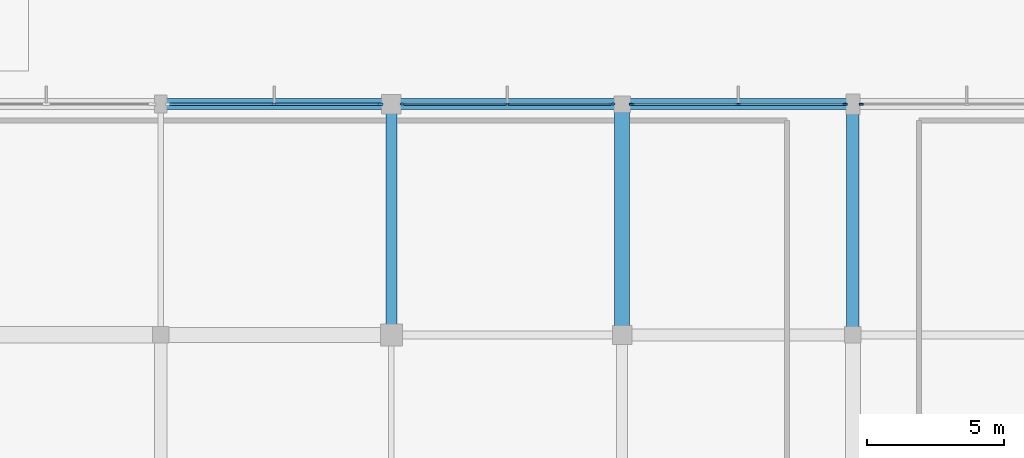
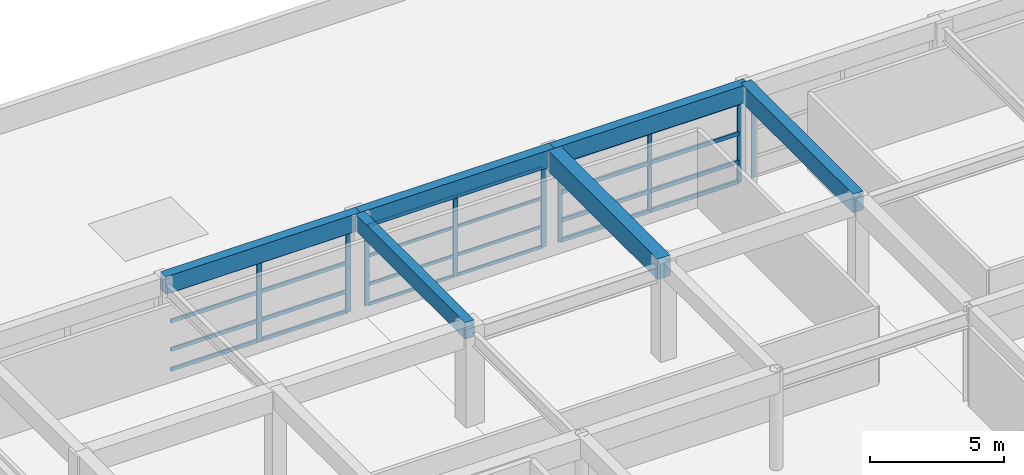
# One storey, part 27 of 60: 33 members, 6 beams, 4 elements without a shape of their own.
"""IFC4 building model written with IfcOpenShell, lengths in metres."""

from ifc_helpers import new_model, si_unit, direction, frame, origin, origin_2d, place, context, subcontext, project, spatial, rectangle, extrude, material, material_profile, profile_set, type_object, element, aggregate, save


model = new_model("IFC4")

# Units and contexts
model_context = context("Model", 3, precision=1e-05, world=origin(), true_north=direction((0.0, 1.0)))
body_context = subcontext(model_context, "Body", "Model", "MODEL_VIEW")
ifc_project = project(units=[si_unit("LENGTHUNIT", "METRE"), si_unit("AREAUNIT", "SQUARE_METRE"), si_unit("VOLUMEUNIT", "CUBIC_METRE"), si_unit("PLANEANGLEUNIT", "RADIAN"), si_unit("MASSUNIT", "GRAM", prefix="KILO")], contexts=[model_context])

# Site, building, storey
site_placement = place(None, origin())
site = spatial("IfcSite", under=ifc_project, at=site_placement, CompositionType="ELEMENT")
building_placement = place(site_placement, origin())
building = spatial("IfcBuilding", under=site, at=building_placement, Name="Xuanlan Plaza Opera House", CompositionType="ELEMENT")
storey_placement = place(building_placement, frame((0.0, 0.0, 9.89990234375)))
storey = spatial("IfcBuildingStorey", under=building, at=storey_placement, Name="L02", CompositionType="ELEMENT", Elevation=9.89990234375)

# Curtain wall, member
ifc_material_1 = material(Name="Anodised Aluminium 6063-T6 and Low-E Glass", Category="aluminium")
curtain_wall_type_1 = type_object("IfcCurtainWallType", Name="ENV-CW-CW-05", PredefinedType="USERDEFINED", material=ifc_material_1)
curtain_wall_1_placement = place(storey_placement, origin())
curtain_wall_1 = element("IfcCurtainWall", 1, at=curtain_wall_1_placement, inside=storey, type_object=curtain_wall_type_1, Name="Acoustic Glazed Wall L02-032", ObjectType="ACOUSTIC GLAZED WALL", PredefinedType="USERDEFINED")
ifc_material_2 = material(Name="Anodised Aluminium 6063-T6", Category="aluminium")
ifc_material_profile_1 = material_profile(ifc_material_2, rectangle(XDim=0.06494140625, YDim=0.159912109375, at=origin_2d()), Name="ALU-M 65x160")
ifc_profile_set_1 = profile_set([ifc_material_profile_1], Name="Anodised Aluminium 6063-T6")
member_type_1 = type_object("IfcMemberType", Name="ENV-CWM-01", PredefinedType="MULLION", material=ifc_profile_set_1)
member_1_placement = place(storey_placement, frame((126.302490234375, 100.800048828125, 0.0), z_axis=(0.0, 0.0, 1.0), x_axis=(0.0, -1.0, 0.0)))
member_1 = element("IfcMember", 2, at=member_1_placement, type_object=member_type_1, Name="CW-05 mullion 3", PredefinedType="MULLION", context=body_context, shape_type="SweptSolid", body=[
    extrude(rectangle(XDim=0.06494140625, YDim=0.159912109375, at=origin_2d()), origin(), (0.0, 0.0, 1.0), 3.68017578125),
])
aggregate(curtain_wall_1, [member_1])

# Curtain wall, members
curtain_wall_type_2 = type_object("IfcCurtainWallType", Name="ENV-CW-CW-06", PredefinedType="USERDEFINED", material=ifc_material_1)
curtain_wall_2_placement = place(storey_placement, origin())
curtain_wall_2 = element("IfcCurtainWall", 3, at=curtain_wall_2_placement, inside=storey, type_object=curtain_wall_type_2, Name="Acoustic Glazed Wall L02-033", ObjectType="ACOUSTIC GLAZED WALL", PredefinedType="USERDEFINED")
ifc_material_profile_2 = material_profile(ifc_material_2, rectangle(XDim=0.070068359375, YDim=0.179931640625, at=origin_2d()), Name="ALU-M 70x180")
ifc_profile_set_2 = profile_set([ifc_material_profile_2], Name="Anodised Aluminium 6063-T6")
member_type_2 = type_object("IfcMemberType", Name="ENV-CWM-02", PredefinedType="MULLION", material=ifc_profile_set_2)
member_2_placement = place(storey_placement, frame((125.695068359375, 100.800048828125, 0.0), z_axis=(0.0, 0.0, 1.0), x_axis=(0.0, -1.0, 0.0)))
member_2 = element("IfcMember", 4, at=member_2_placement, type_object=member_type_2, Name="CW-06 mullion 1", PredefinedType="MULLION", context=body_context, shape_type="SweptSolid", body=[
    extrude(rectangle(XDim=0.070068359375, YDim=0.179931640625, at=origin_2d()), origin(), (0.0, 0.0, 1.0), 3.68017578125),
])
member_3_placement = place(storey_placement, frame((121.824951171875, 100.800048828125, 0.0), z_axis=(0.0, 0.0, 1.0), x_axis=(0.0, -1.0, 0.0)))
member_3 = element("IfcMember", 5, at=member_3_placement, type_object=member_type_2, Name="CW-06 mullion 2", PredefinedType="MULLION", context=body_context, shape_type="SweptSolid", body=[
    extrude(rectangle(XDim=0.070068359375, YDim=0.179931640625, at=origin_2d()), origin(), (0.0, 0.0, 1.0), 3.68017578125),
])
member_4_placement = place(storey_placement, frame((117.955078125, 100.800048828125, 0.0), z_axis=(0.0, 0.0, 1.0), x_axis=(0.0, -1.0, 0.0)))
member_4 = element("IfcMember", 6, at=member_4_placement, type_object=member_type_2, Name="CW-06 mullion 3", PredefinedType="MULLION", context=body_context, shape_type="SweptSolid", body=[
    extrude(rectangle(XDim=0.070068359375, YDim=0.179931640625, at=origin_2d()), origin(), (0.0, 0.0, 1.0), 3.68017578125),
])

curtain_wall_3_placement = place(storey_placement, origin())
curtain_wall_3 = element("IfcCurtainWall", 7, at=curtain_wall_3_placement, inside=storey, type_object=curtain_wall_type_1, Name="Acoustic Glazed Wall L02-034", ObjectType="ACOUSTIC GLAZED WALL", PredefinedType="USERDEFINED")
ifc_material_profile_3 = material_profile(ifc_material_2, rectangle(XDim=0.074951171875, YDim=0.199951171875, at=origin_2d()), Name="ALU-M 75x200")
ifc_profile_set_3 = profile_set([ifc_material_profile_3], Name="Anodised Aluminium 6063-T6")
member_type_3 = type_object("IfcMemberType", Name="ENV-CWM-03", PredefinedType="MULLION", material=ifc_profile_set_3)
member_5_placement = place(storey_placement, frame((117.242431640625, 100.800048828125, 0.0), z_axis=(0.0, 0.0, 1.0), x_axis=(0.0, -1.0, 0.0)))
member_5 = element("IfcMember", 8, at=member_5_placement, type_object=member_type_3, Name="CW-05 mullion 1", PredefinedType="MULLION", context=body_context, shape_type="SweptSolid", body=[
    extrude(rectangle(XDim=0.074951171875, YDim=0.199951171875, at=origin_2d()), origin(), (0.0, 0.0, 1.0), 3.68017578125),
])
member_6_placement = place(storey_placement, frame((113.425048828125, 100.800048828125, 0.0), z_axis=(0.0, 0.0, 1.0), x_axis=(0.0, -1.0, 0.0)))
member_6 = element("IfcMember", 9, at=member_6_placement, type_object=member_type_3, Name="CW-05 mullion 2", PredefinedType="MULLION", context=body_context, shape_type="SweptSolid", body=[
    extrude(rectangle(XDim=0.074951171875, YDim=0.199951171875, at=origin_2d()), origin(), (0.0, 0.0, 1.0), 3.68017578125),
])
member_7_placement = place(storey_placement, frame((109.607421875, 100.800048828125, 0.0), z_axis=(0.0, 0.0, 1.0), x_axis=(0.0, -1.0, 0.0)))
member_7 = element("IfcMember", 10, at=member_7_placement, type_object=member_type_3, Name="CW-05 mullion 3", PredefinedType="MULLION", context=body_context, shape_type="SweptSolid", body=[
    extrude(rectangle(XDim=0.074951171875, YDim=0.199951171875, at=origin_2d()), origin(), (0.0, 0.0, 1.0), 3.68017578125),
])

curtain_wall_4_placement = place(storey_placement, origin())
curtain_wall_4 = element("IfcCurtainWall", 11, at=curtain_wall_4_placement, inside=storey, type_object=curtain_wall_type_2, Name="Acoustic Glazed Wall L02-035", ObjectType="ACOUSTIC GLAZED WALL", PredefinedType="USERDEFINED")
ifc_material_profile_4 = material_profile(ifc_material_2, rectangle(XDim=0.080078125, YDim=0.219970703125, at=origin_2d()), Name="ALU-M 80x220")
ifc_profile_set_4 = profile_set([ifc_material_profile_4], Name="Anodised Aluminium 6063-T6")
member_type_4 = type_object("IfcMemberType", Name="ENV-CWM-04", PredefinedType="MULLION", material=ifc_profile_set_4)
member_8_placement = place(storey_placement, frame((108.7900390625, 100.800048828125, 0.0), z_axis=(0.0, 0.0, 1.0), x_axis=(0.0, -1.0, 0.0)))
member_8 = element("IfcMember", 12, at=member_8_placement, type_object=member_type_4, Name="CW-06 mullion 1", PredefinedType="MULLION", context=body_context, shape_type="SweptSolid", body=[
    extrude(rectangle(XDim=0.080078125, YDim=0.219970703125, at=origin_2d()), origin(), (0.0, 0.0, 1.0), 3.68017578125),
])
member_9_placement = place(storey_placement, frame((104.9375, 100.800048828125, 0.0), z_axis=(0.0, 0.0, 1.0), x_axis=(0.0, -1.0, 0.0)))
member_9 = element("IfcMember", 13, at=member_9_placement, type_object=member_type_4, Name="CW-06 mullion 2", PredefinedType="MULLION", context=body_context, shape_type="SweptSolid", body=[
    extrude(rectangle(XDim=0.080078125, YDim=0.219970703125, at=origin_2d()), origin(), (0.0, 0.0, 1.0), 3.68017578125),
])

# Member
ifc_material_profile_5 = material_profile(ifc_material_2, rectangle(XDim=0.070068359375, YDim=0.135009765625, at=origin_2d()), Name="ALU-T 70x135")
ifc_profile_set_5 = profile_set([ifc_material_profile_5], Name="Anodised Aluminium 6063-T6")
member_type_5 = type_object("IfcMemberType", Name="ENV-CWT-02", PredefinedType="USERDEFINED", material=ifc_profile_set_5)
member_10_placement = place(storey_placement, frame((117.205078125, 100.800048828125, 0.03515625), z_axis=(-1.0, 0.0, 0.0), x_axis=(0.0, -1.0, 0.0)))
member_10 = element("IfcMember", 14, at=member_10_placement, type_object=member_type_5, Name="CW-05 transom 1.1", ObjectType="TRANSOM", PredefinedType="USERDEFINED", context=body_context, shape_type="SweptSolid", body=[
    extrude(rectangle(XDim=0.070068359375, YDim=0.135009765625, at=origin_2d()), origin(), (0.0, 0.0, 1.0), 3.74267578125),
])

member_11_placement = place(storey_placement, frame((117.205078125, 100.800048828125, 0.9501953125), z_axis=(-1.0, 0.0, 0.0), x_axis=(0.0, -1.0, 0.0)))
member_11 = element("IfcMember", 15, at=member_11_placement, type_object=member_type_5, Name="CW-05 transom 1.2", ObjectType="TRANSOM", PredefinedType="USERDEFINED", context=body_context, shape_type="SweptSolid", body=[
    extrude(rectangle(XDim=0.070068359375, YDim=0.135009765625, at=origin_2d()), origin(), (0.0, 0.0, 1.0), 3.74267578125),
])

member_12_placement = place(storey_placement, frame((117.205078125, 100.800048828125, 2.25), z_axis=(-1.0, 0.0, 0.0), x_axis=(0.0, -1.0, 0.0)))
member_12 = element("IfcMember", 16, at=member_12_placement, type_object=member_type_5, Name="CW-05 transom 1.3", ObjectType="TRANSOM", PredefinedType="USERDEFINED", context=body_context, shape_type="SweptSolid", body=[
    extrude(rectangle(XDim=0.070068359375, YDim=0.135009765625, at=origin_2d()), origin(), (0.0, 0.0, 1.0), 3.74267578125),
])

member_13_placement = place(storey_placement, frame((117.205078125, 100.800048828125, 3.64501953125), z_axis=(-1.0, 0.0, 0.0), x_axis=(0.0, -1.0, 0.0)))
member_13 = element("IfcMember", 17, at=member_13_placement, type_object=member_type_5, Name="CW-05 transom 1.4", ObjectType="TRANSOM", PredefinedType="USERDEFINED", context=body_context, shape_type="SweptSolid", body=[
    extrude(rectangle(XDim=0.070068359375, YDim=0.135009765625, at=origin_2d()), origin(), (0.0, 0.0, 1.0), 3.74267578125),
])

member_14_placement = place(storey_placement, frame((113.387451171875, 100.800048828125, 0.03515625), z_axis=(-1.0, 0.0, 0.0), x_axis=(0.0, -1.0, 0.0)))
member_14 = element("IfcMember", 18, at=member_14_placement, type_object=member_type_5, Name="CW-05 transom 2.1", ObjectType="TRANSOM", PredefinedType="USERDEFINED", context=body_context, shape_type="SweptSolid", body=[
    extrude(rectangle(XDim=0.070068359375, YDim=0.135009765625, at=origin_2d()), origin(), (0.0, 0.0, 1.0), 3.742431640625),
])

member_15_placement = place(storey_placement, frame((113.387451171875, 100.800048828125, 0.9501953125), z_axis=(-1.0, 0.0, 0.0), x_axis=(0.0, -1.0, 0.0)))
member_15 = element("IfcMember", 19, at=member_15_placement, type_object=member_type_5, Name="CW-05 transom 2.2", ObjectType="TRANSOM", PredefinedType="USERDEFINED", context=body_context, shape_type="SweptSolid", body=[
    extrude(rectangle(XDim=0.070068359375, YDim=0.135009765625, at=origin_2d()), origin(), (0.0, 0.0, 1.0), 3.742431640625),
])

member_16_placement = place(storey_placement, frame((113.387451171875, 100.800048828125, 2.25), z_axis=(-1.0, 0.0, 0.0), x_axis=(0.0, -1.0, 0.0)))
member_16 = element("IfcMember", 20, at=member_16_placement, type_object=member_type_5, Name="CW-05 transom 2.3", ObjectType="TRANSOM", PredefinedType="USERDEFINED", context=body_context, shape_type="SweptSolid", body=[
    extrude(rectangle(XDim=0.070068359375, YDim=0.135009765625, at=origin_2d()), origin(), (0.0, 0.0, 1.0), 3.742431640625),
])

member_17_placement = place(storey_placement, frame((113.387451171875, 100.800048828125, 3.64501953125), z_axis=(-1.0, 0.0, 0.0), x_axis=(0.0, -1.0, 0.0)))
member_17 = element("IfcMember", 21, at=member_17_placement, type_object=member_type_5, Name="CW-05 transom 2.4", ObjectType="TRANSOM", PredefinedType="USERDEFINED", context=body_context, shape_type="SweptSolid", body=[
    extrude(rectangle(XDim=0.070068359375, YDim=0.135009765625, at=origin_2d()), origin(), (0.0, 0.0, 1.0), 3.742431640625),
])

aggregate(curtain_wall_3, [member_5, member_6, member_7, member_10, member_11, member_12, member_13, member_14, member_15, member_16, member_17])

ifc_material_profile_6 = material_profile(ifc_material_2, rectangle(XDim=0.080078125, YDim=0.1650390625, at=origin_2d()), Name="ALU-T 80x165")
ifc_profile_set_6 = profile_set([ifc_material_profile_6], Name="Anodised Aluminium 6063-T6")
member_type_6 = type_object("IfcMemberType", Name="ENV-CWT-04", PredefinedType="USERDEFINED", material=ifc_profile_set_6)
member_18_placement = place(storey_placement, frame((108.75, 100.800048828125, 0.0400390625), z_axis=(-1.0, 0.0, 0.0), x_axis=(0.0, -1.0, 0.0)))
member_18 = element("IfcMember", 22, at=member_18_placement, type_object=member_type_6, Name="CW-06 transom 1.1", ObjectType="TRANSOM", PredefinedType="USERDEFINED", context=body_context, shape_type="SweptSolid", body=[
    extrude(rectangle(XDim=0.080078125, YDim=0.1650390625, at=origin_2d()), origin(), (0.0, 0.0, 1.0), 3.7724609375),
])

member_19_placement = place(storey_placement, frame((108.75, 100.800048828125, 0.9501953125), z_axis=(-1.0, 0.0, 0.0), x_axis=(0.0, -1.0, 0.0)))
member_19 = element("IfcMember", 23, at=member_19_placement, type_object=member_type_6, Name="CW-06 transom 1.2", ObjectType="TRANSOM", PredefinedType="USERDEFINED", context=body_context, shape_type="SweptSolid", body=[
    extrude(rectangle(XDim=0.080078125, YDim=0.1650390625, at=origin_2d()), origin(), (0.0, 0.0, 1.0), 3.7724609375),
])

member_20_placement = place(storey_placement, frame((108.75, 100.800048828125, 2.25), z_axis=(-1.0, 0.0, 0.0), x_axis=(0.0, -1.0, 0.0)))
member_20 = element("IfcMember", 24, at=member_20_placement, type_object=member_type_6, Name="CW-06 transom 1.3", ObjectType="TRANSOM", PredefinedType="USERDEFINED", context=body_context, shape_type="SweptSolid", body=[
    extrude(rectangle(XDim=0.080078125, YDim=0.1650390625, at=origin_2d()), origin(), (0.0, 0.0, 1.0), 3.7724609375),
])

member_21_placement = place(storey_placement, frame((108.75, 100.800048828125, 3.64013671875), z_axis=(-1.0, 0.0, 0.0), x_axis=(0.0, -1.0, 0.0)))
member_21 = element("IfcMember", 25, at=member_21_placement, type_object=member_type_6, Name="CW-06 transom 1.4", ObjectType="TRANSOM", PredefinedType="USERDEFINED", context=body_context, shape_type="SweptSolid", body=[
    extrude(rectangle(XDim=0.080078125, YDim=0.1650390625, at=origin_2d()), origin(), (0.0, 0.0, 1.0), 3.7724609375),
])

member_22_placement = place(storey_placement, frame((104.8974609375, 100.800048828125, 0.0400390625), z_axis=(-1.0, 0.0, 0.0), x_axis=(0.0, -1.0, 0.0)))
member_22 = element("IfcMember", 26, at=member_22_placement, type_object=member_type_6, Name="CW-06 transom 2.1", ObjectType="TRANSOM", PredefinedType="USERDEFINED", context=body_context, shape_type="SweptSolid", body=[
    extrude(rectangle(XDim=0.080078125, YDim=0.1650390625, at=origin_2d()), origin(), (0.0, 0.0, 1.0), 3.7724609375),
])

member_23_placement = place(storey_placement, frame((104.8974609375, 100.800048828125, 0.9501953125), z_axis=(-1.0, 0.0, 0.0), x_axis=(0.0, -1.0, 0.0)))
member_23 = element("IfcMember", 27, at=member_23_placement, type_object=member_type_6, Name="CW-06 transom 2.2", ObjectType="TRANSOM", PredefinedType="USERDEFINED", context=body_context, shape_type="SweptSolid", body=[
    extrude(rectangle(XDim=0.080078125, YDim=0.1650390625, at=origin_2d()), origin(), (0.0, 0.0, 1.0), 3.7724609375),
])

member_24_placement = place(storey_placement, frame((104.8974609375, 100.800048828125, 2.25), z_axis=(-1.0, 0.0, 0.0), x_axis=(0.0, -1.0, 0.0)))
member_24 = element("IfcMember", 28, at=member_24_placement, type_object=member_type_6, Name="CW-06 transom 2.3", ObjectType="TRANSOM", PredefinedType="USERDEFINED", context=body_context, shape_type="SweptSolid", body=[
    extrude(rectangle(XDim=0.080078125, YDim=0.1650390625, at=origin_2d()), origin(), (0.0, 0.0, 1.0), 3.7724609375),
])

member_25_placement = place(storey_placement, frame((104.8974609375, 100.800048828125, 3.64013671875), z_axis=(-1.0, 0.0, 0.0), x_axis=(0.0, -1.0, 0.0)))
member_25 = element("IfcMember", 29, at=member_25_placement, type_object=member_type_6, Name="CW-06 transom 2.4", ObjectType="TRANSOM", PredefinedType="USERDEFINED", context=body_context, shape_type="SweptSolid", body=[
    extrude(rectangle(XDim=0.080078125, YDim=0.1650390625, at=origin_2d()), origin(), (0.0, 0.0, 1.0), 3.7724609375),
])

aggregate(curtain_wall_4, [member_8, member_9, member_18, member_19, member_20, member_21, member_22, member_23, member_24, member_25])

ifc_material_profile_7 = material_profile(ifc_material_2, rectangle(XDim=0.090087890625, YDim=0.179931640625, at=origin_2d()), Name="ALU-T 90x180")
ifc_profile_set_7 = profile_set([ifc_material_profile_7], Name="Anodised Aluminium 6063-T6")
member_type_7 = type_object("IfcMemberType", Name="ENV-CWT-05", PredefinedType="USERDEFINED", material=ifc_profile_set_7)
member_26_placement = place(storey_placement, frame((125.659912109375, 100.800048828125, 0.045166015625), z_axis=(-1.0, 0.0, 0.0), x_axis=(0.0, -1.0, 0.0)))
member_26 = element("IfcMember", 30, at=member_26_placement, type_object=member_type_7, Name="CW-06 transom 1.1", ObjectType="TRANSOM", PredefinedType="USERDEFINED", context=body_context, shape_type="SweptSolid", body=[
    extrude(rectangle(XDim=0.090087890625, YDim=0.179931640625, at=origin_2d()), origin(), (0.0, 0.0, 1.0), 3.7998046875),
])

member_27_placement = place(storey_placement, frame((125.659912109375, 100.800048828125, 0.9501953125), z_axis=(-1.0, 0.0, 0.0), x_axis=(0.0, -1.0, 0.0)))
member_27 = element("IfcMember", 31, at=member_27_placement, type_object=member_type_7, Name="CW-06 transom 1.2", ObjectType="TRANSOM", PredefinedType="USERDEFINED", context=body_context, shape_type="SweptSolid", body=[
    extrude(rectangle(XDim=0.090087890625, YDim=0.179931640625, at=origin_2d()), origin(), (0.0, 0.0, 1.0), 3.7998046875),
])

member_28_placement = place(storey_placement, frame((125.659912109375, 100.800048828125, 2.25), z_axis=(-1.0, 0.0, 0.0), x_axis=(0.0, -1.0, 0.0)))
member_28 = element("IfcMember", 32, at=member_28_placement, type_object=member_type_7, Name="CW-06 transom 1.3", ObjectType="TRANSOM", PredefinedType="USERDEFINED", context=body_context, shape_type="SweptSolid", body=[
    extrude(rectangle(XDim=0.090087890625, YDim=0.179931640625, at=origin_2d()), origin(), (0.0, 0.0, 1.0), 3.7998046875),
])

member_29_placement = place(storey_placement, frame((125.659912109375, 100.800048828125, 3.635009765625), z_axis=(-1.0, 0.0, 0.0), x_axis=(0.0, -1.0, 0.0)))
member_29 = element("IfcMember", 33, at=member_29_placement, type_object=member_type_7, Name="CW-06 transom 1.4", ObjectType="TRANSOM", PredefinedType="USERDEFINED", context=body_context, shape_type="SweptSolid", body=[
    extrude(rectangle(XDim=0.090087890625, YDim=0.179931640625, at=origin_2d()), origin(), (0.0, 0.0, 1.0), 3.7998046875),
])

member_30_placement = place(storey_placement, frame((121.7900390625, 100.800048828125, 0.045166015625), z_axis=(-1.0, 0.0, 0.0), x_axis=(0.0, -1.0, 0.0)))
member_30 = element("IfcMember", 34, at=member_30_placement, type_object=member_type_7, Name="CW-06 transom 2.1", ObjectType="TRANSOM", PredefinedType="USERDEFINED", context=body_context, shape_type="SweptSolid", body=[
    extrude(rectangle(XDim=0.090087890625, YDim=0.179931640625, at=origin_2d()), origin(), (0.0, 0.0, 1.0), 3.800048828125),
])

member_31_placement = place(storey_placement, frame((121.7900390625, 100.800048828125, 0.9501953125), z_axis=(-1.0, 0.0, 0.0), x_axis=(0.0, -1.0, 0.0)))
member_31 = element("IfcMember", 35, at=member_31_placement, type_object=member_type_7, Name="CW-06 transom 2.2", ObjectType="TRANSOM", PredefinedType="USERDEFINED", context=body_context, shape_type="SweptSolid", body=[
    extrude(rectangle(XDim=0.090087890625, YDim=0.179931640625, at=origin_2d()), origin(), (0.0, 0.0, 1.0), 3.800048828125),
])

member_32_placement = place(storey_placement, frame((121.7900390625, 100.800048828125, 2.25), z_axis=(-1.0, 0.0, 0.0), x_axis=(0.0, -1.0, 0.0)))
member_32 = element("IfcMember", 36, at=member_32_placement, type_object=member_type_7, Name="CW-06 transom 2.3", ObjectType="TRANSOM", PredefinedType="USERDEFINED", context=body_context, shape_type="SweptSolid", body=[
    extrude(rectangle(XDim=0.090087890625, YDim=0.179931640625, at=origin_2d()), origin(), (0.0, 0.0, 1.0), 3.800048828125),
])

member_33_placement = place(storey_placement, frame((121.7900390625, 100.800048828125, 3.635009765625), z_axis=(-1.0, 0.0, 0.0), x_axis=(0.0, -1.0, 0.0)))
member_33 = element("IfcMember", 37, at=member_33_placement, type_object=member_type_7, Name="CW-06 transom 2.4", ObjectType="TRANSOM", PredefinedType="USERDEFINED", context=body_context, shape_type="SweptSolid", body=[
    extrude(rectangle(XDim=0.090087890625, YDim=0.179931640625, at=origin_2d()), origin(), (0.0, 0.0, 1.0), 3.800048828125),
])

aggregate(curtain_wall_2, [member_2, member_3, member_4, member_26, member_27, member_28, member_29, member_30, member_31, member_32, member_33])

# Beams
ifc_material_3 = material(Name="Concrete C50", Category="concrete")
ifc_material_profile_8 = material_profile(ifc_material_3, rectangle(XDim=0.550048828125, YDim=0.949951171875, at=origin_2d()), Name="RC-BM 550x950")
ifc_profile_set_8 = profile_set([ifc_material_profile_8], Name="Concrete C50")
beam_type_1 = type_object("IfcBeamType", Name="STR-BM-B-02", PredefinedType="BEAM", material=ifc_profile_set_8)
beam_1_placement = place(storey_placement, frame((117.60009765625, 92.39990234375, 4.025146484375), z_axis=(0.0, 1.0, 0.0), x_axis=(-1.0, 0.0, 0.0)))
element("IfcBeam", 38, at=beam_1_placement, inside=storey, type_object=beam_type_1, Name="Grid Beam Y L02 15/L-M", PredefinedType="BEAM", context=body_context, shape_type="SweptSolid", body=[
    extrude(rectangle(XDim=0.550048828125, YDim=0.949951171875, at=origin_2d()), origin(), (0.0, 0.0, 1.0), 8.400146484375),
])
ifc_material_4 = material(Name="Concrete C40", Category="concrete")
ifc_material_profile_9 = material_profile(ifc_material_4, rectangle(XDim=0.449951171875, YDim=0.85009765625, at=origin_2d()), Name="RC-BM 450x850")
ifc_profile_set_9 = profile_set([ifc_material_profile_9], Name="Concrete C40")
beam_type_2 = type_object("IfcBeamType", Name="STR-BM-B-04", PredefinedType="BEAM", material=ifc_profile_set_9)
beam_2_placement = place(storey_placement, frame((126.0, 92.39990234375, 4.0751953125), z_axis=(0.0, 1.0, 0.0), x_axis=(-1.0, 0.0, 0.0)))
element("IfcBeam", 39, at=beam_2_placement, inside=storey, type_object=beam_type_2, Name="Grid Beam Y L02 16/L-M", PredefinedType="BEAM", context=body_context, shape_type="SweptSolid", body=[
    extrude(rectangle(XDim=0.449951171875, YDim=0.85009765625, at=origin_2d()), origin(), (0.0, 0.0, 1.0), 8.400146484375),
])
ifc_material_profile_10 = material_profile(ifc_material_4, rectangle(XDim=0.39990234375, YDim=0.75, at=origin_2d()), Name="RC-BM 400x750")
ifc_profile_set_10 = profile_set([ifc_material_profile_10], Name="Concrete C40")
beam_type_3 = type_object("IfcBeamType", Name="STR-BM-B-06", PredefinedType="BEAM", material=ifc_profile_set_10)
beam_3_placement = place(storey_placement, frame((109.199951171875, 92.39990234375, 4.125), z_axis=(0.0, 1.0, 0.0), x_axis=(-1.0, 0.0, 0.0)))
element("IfcBeam", 40, at=beam_3_placement, inside=storey, type_object=beam_type_3, Name="Grid Beam Y L02 14/L-M", PredefinedType="BEAM", context=body_context, shape_type="SweptSolid", body=[
    extrude(rectangle(XDim=0.39990234375, YDim=0.75, at=origin_2d()), origin(), (0.0, 0.0, 1.0), 8.400146484375),
])
ifc_material_profile_11 = material_profile(ifc_material_4, rectangle(XDim=0.39990234375, YDim=0.800048828125, at=origin_2d()), Name="RC-SPD 400x800")
ifc_profile_set_11 = profile_set([ifc_material_profile_11], Name="Concrete C40")
beam_type_4 = type_object("IfcBeamType", Name="STR-BM-SP-01", PredefinedType="SPANDREL", material=ifc_profile_set_11)
beam_4_placement = place(storey_placement, frame((100.800048828125, 100.800048828125, 4.10009765625), z_axis=(1.0, 0.0, 0.0), x_axis=(0.0, 1.0, 0.0)))
element("IfcBeam", 41, at=beam_4_placement, inside=storey, type_object=beam_type_4, Name="Grid Beam X L02 13-14/M", PredefinedType="SPANDREL", context=body_context, shape_type="SweptSolid", body=[
    extrude(rectangle(XDim=0.39990234375, YDim=0.800048828125, at=origin_2d()), origin(), (0.0, 0.0, 1.0), 8.39990234375),
])
beam_5_placement = place(storey_placement, frame((109.199951171875, 100.800048828125, 4.10009765625), z_axis=(1.0, 0.0, 0.0), x_axis=(0.0, 1.0, 0.0)))
element("IfcBeam", 42, at=beam_5_placement, inside=storey, type_object=beam_type_4, Name="Grid Beam X L02 14-15/M", PredefinedType="SPANDREL", context=body_context, shape_type="SweptSolid", body=[
    extrude(rectangle(XDim=0.39990234375, YDim=0.800048828125, at=origin_2d()), origin(), (0.0, 0.0, 1.0), 8.400146484375),
])
beam_6_placement = place(storey_placement, frame((117.60009765625, 100.800048828125, 4.10009765625), z_axis=(1.0, 0.0, 0.0), x_axis=(0.0, 1.0, 0.0)))
element("IfcBeam", 43, at=beam_6_placement, inside=storey, type_object=beam_type_4, Name="Grid Beam X L02 15-16/M", PredefinedType="SPANDREL", context=body_context, shape_type="SweptSolid", body=[
    extrude(rectangle(XDim=0.39990234375, YDim=0.800048828125, at=origin_2d()), origin(), (0.0, 0.0, 1.0), 8.39990234375),
])

save(model, "model.ifc")
